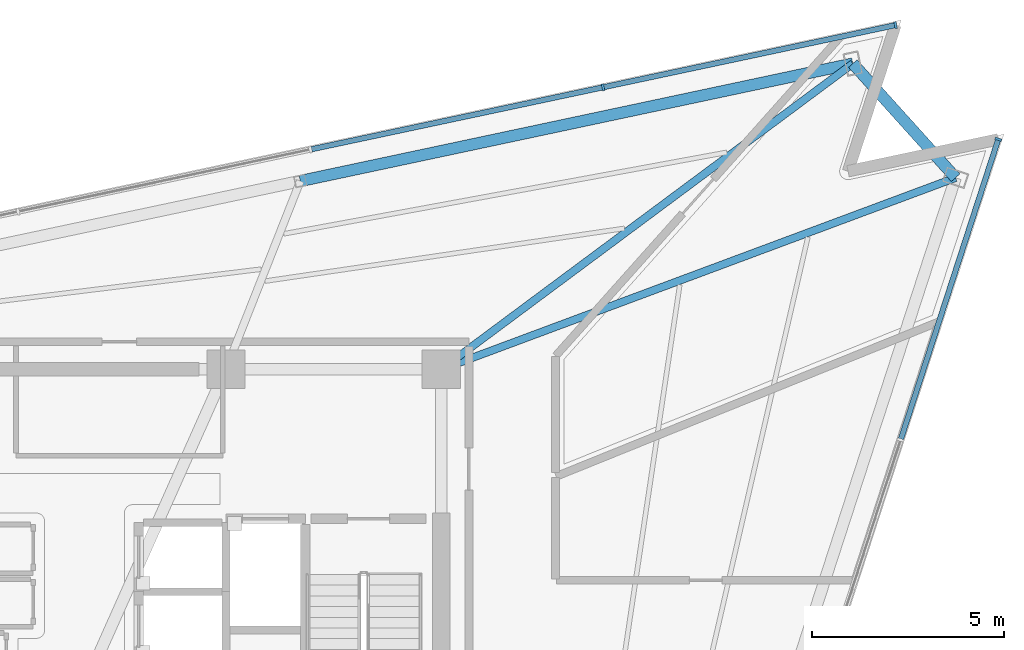
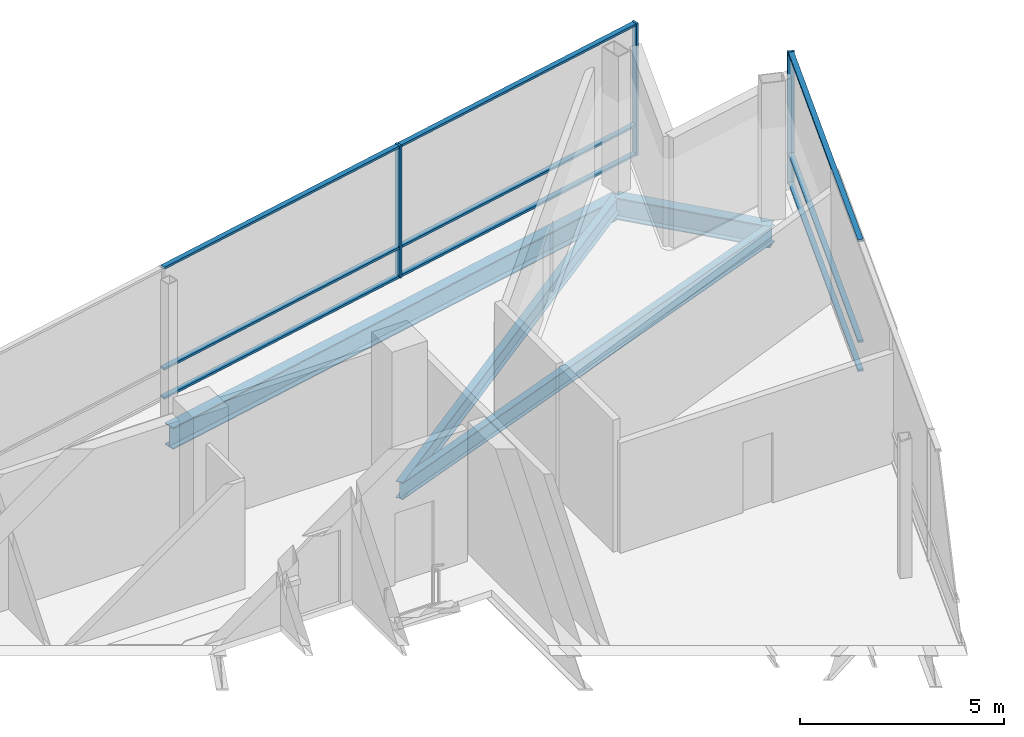
# One storey, part 9 of 17: 12 members, 4 beams, 2 elements without a shape of their own.
"""IFC4 building model written with IfcOpenShell, lengths in metres."""

from ifc_helpers import new_model, si_unit, direction, frame, origin, origin_2d, place, context, subcontext, project, spatial, rectangle, i_section, extrude, material, layer, layer_set, material_profile, profile_set, type_object, element, aggregate, save


model = new_model("IFC4")

# Units and contexts
model_context = context("Model", 3, precision=1e-05, world=origin(), true_north=direction((0.0, 1.0)))
body_context = subcontext(model_context, "Body", "Model", "MODEL_VIEW")
ifc_project = project(units=[si_unit("LENGTHUNIT", "METRE"), si_unit("AREAUNIT", "SQUARE_METRE"), si_unit("VOLUMEUNIT", "CUBIC_METRE"), si_unit("PLANEANGLEUNIT", "RADIAN"), si_unit("MASSUNIT", "GRAM", prefix="KILO")], contexts=[model_context])

# Site, building, storey
site_placement = place(None, origin())
site = spatial("IfcSite", under=ifc_project, at=site_placement, CompositionType="ELEMENT")
building_placement = place(site_placement, origin())
building = spatial("IfcBuilding", under=site, at=building_placement, Name="Tharavind Bronze Gate", CompositionType="ELEMENT")
storey_placement = place(building_placement, frame((0.0, 0.0, 298.0)))
storey = spatial("IfcBuildingStorey", under=building, at=storey_placement, Name="L77", CompositionType="ELEMENT", Elevation=298.0)

# Curtain wall, member
ifc_material_1 = material(Name="Anodised Bronze Aluminium", Category="aluminium")
ifc_layer = layer(ifc_material_1, 0.219970703125)
ifc_layer_set = layer_set([ifc_layer], Name="Anodised Bronze Aluminium")
curtain_wall_type = type_object("IfcCurtainWallType", Name="UNITISED CURTAIN WALL CROWN", PredefinedType="USERDEFINED", material=ifc_layer_set)
curtain_wall_1_placement = place(storey_placement, origin())
curtain_wall_1 = element("IfcCurtainWall", 1, at=curtain_wall_1_placement, inside=storey, type_object=curtain_wall_type, Name="L77 unitised curtain wall crown CW-L77-S2", ObjectType="UNITISED CURTAIN WALL", PredefinedType="USERDEFINED")
member_type_1 = type_object("IfcMemberType", Name="CURTAIN WALL BRONZE MULLION 65X180", PredefinedType="MULLION", material=ifc_material_1)
member_1_placement = place(storey_placement, frame((23.433837890625, 13.603271484375, 0.0), z_axis=(0.0, 0.0, 1.0), x_axis=(0.309016994375, 0.951056516295, 0.0)))
member_1 = element("IfcMember", 2, at=member_1_placement, type_object=member_type_1, Name="CW-L77-S2 mullion 7", PredefinedType="MULLION", context=body_context, shape_type="SweptSolid", body=[
    extrude(rectangle(XDim=0.06494140625, YDim=0.179931640625, at=origin_2d()), origin(), (0.0, 0.0, 1.0), 3.949951171875),
])

# Curtain wall, members
curtain_wall_2_placement = place(storey_placement, origin())
curtain_wall_2 = element("IfcCurtainWall", 3, at=curtain_wall_2_placement, inside=storey, type_object=curtain_wall_type, Name="L77 unitised curtain wall crown CW-L77-S3", ObjectType="UNITISED CURTAIN WALL", PredefinedType="USERDEFINED")
member_2_placement = place(storey_placement, frame((20.751953125, 16.581787109375, 0.0), z_axis=(0.0, 0.0, 1.0), x_axis=(-0.978147237858, -0.207913398007, 0.0)))
member_2 = element("IfcMember", 4, at=member_2_placement, type_object=member_type_1, Name="CW-L77-S3 mullion 1", PredefinedType="MULLION", context=body_context, shape_type="SweptSolid", body=[
    extrude(rectangle(XDim=0.06494140625, YDim=0.179931640625, at=origin_2d()), origin(), (0.0, 0.0, 1.0), 3.949951171875),
])
member_3_placement = place(storey_placement, frame((13.119873046875, 14.959716796875, 0.0), z_axis=(0.0, 0.0, 1.0), x_axis=(-0.978147237858, -0.207913398007, 0.0)))
member_3 = element("IfcMember", 5, at=member_3_placement, type_object=member_type_1, Name="CW-L77-S3 mullion 2", PredefinedType="MULLION", context=body_context, shape_type="SweptSolid", body=[
    extrude(rectangle(XDim=0.06494140625, YDim=0.179931640625, at=origin_2d()), origin(), (0.0, 0.0, 1.0), 3.949951171875),
])

# Member
member_type_2 = type_object("IfcMemberType", Name="CURTAIN WALL BRONZE TRANSOM 65X140", PredefinedType="USERDEFINED", material=ifc_material_1)
member_4_placement = place(storey_placement, frame((22.159423828125, 9.68115234375, 0.0), z_axis=(0.0, 0.0, 1.0), x_axis=(0.309016994375, 0.951056516295, 0.0)))
member_4 = element("IfcMember", 6, at=member_4_placement, type_object=member_type_2, Name="CW-L77-S2 transom TB6", ObjectType="TRANSOM", PredefinedType="USERDEFINED", context=body_context, shape_type="SweptSolid", body=[
    extrude(rectangle(XDim=8.195068359375, YDim=0.139892578125, at=origin_2d()), origin(), (0.0, 0.0, 1.0), 0.06494140625),
])

member_5_placement = place(storey_placement, frame((22.159423828125, 9.68115234375, 0.867431640625), z_axis=(0.0, 0.0, 1.0), x_axis=(0.309016994375, 0.951056516295, 0.0)))
member_5 = element("IfcMember", 7, at=member_5_placement, type_object=member_type_2, Name="CW-L77-S2 transom TS6", ObjectType="TRANSOM", PredefinedType="USERDEFINED", context=body_context, shape_type="SweptSolid", body=[
    extrude(rectangle(XDim=8.195068359375, YDim=0.139892578125, at=origin_2d()), origin(), (0.0, 0.0, 1.0), 0.06494140625),
])

member_6_placement = place(storey_placement, frame((22.159423828125, 9.68115234375, 3.885009765625), z_axis=(0.0, 0.0, 1.0), x_axis=(0.309016994375, 0.951056516295, 0.0)))
member_6 = element("IfcMember", 8, at=member_6_placement, type_object=member_type_2, Name="CW-L77-S2 transom TT6", ObjectType="TRANSOM", PredefinedType="USERDEFINED", context=body_context, shape_type="SweptSolid", body=[
    extrude(rectangle(XDim=8.195068359375, YDim=0.139892578125, at=origin_2d()), origin(), (0.0, 0.0, 1.0), 0.06494140625),
])

aggregate(curtain_wall_1, [member_1, member_4, member_5, member_6])

member_7_placement = place(storey_placement, frame((16.935791015625, 15.770751953125, 0.0), z_axis=(0.0, 0.0, 1.0), x_axis=(-0.978147237858, -0.207913398007, 0.0)))
member_7 = element("IfcMember", 9, at=member_7_placement, type_object=member_type_2, Name="CW-L77-S3 transom TB1", ObjectType="TRANSOM", PredefinedType="USERDEFINED", context=body_context, shape_type="SweptSolid", body=[
    extrude(rectangle(XDim=7.749755859375, YDim=0.139892578125, at=origin_2d()), origin(), (0.0, 0.0, 1.0), 0.06494140625),
])

member_8_placement = place(storey_placement, frame((16.935791015625, 15.770751953125, 0.867431640625), z_axis=(0.0, 0.0, 1.0), x_axis=(-0.978147237858, -0.207913398007, 0.0)))
member_8 = element("IfcMember", 10, at=member_8_placement, type_object=member_type_2, Name="CW-L77-S3 transom TS1", ObjectType="TRANSOM", PredefinedType="USERDEFINED", context=body_context, shape_type="SweptSolid", body=[
    extrude(rectangle(XDim=7.749755859375, YDim=0.139892578125, at=origin_2d()), origin(), (0.0, 0.0, 1.0), 0.06494140625),
])

member_9_placement = place(storey_placement, frame((16.935791015625, 15.770751953125, 3.885009765625), z_axis=(0.0, 0.0, 1.0), x_axis=(-0.978147237858, -0.207913398007, 0.0)))
member_9 = element("IfcMember", 11, at=member_9_placement, type_object=member_type_2, Name="CW-L77-S3 transom TT1", ObjectType="TRANSOM", PredefinedType="USERDEFINED", context=body_context, shape_type="SweptSolid", body=[
    extrude(rectangle(XDim=7.749755859375, YDim=0.139892578125, at=origin_2d()), origin(), (0.0, 0.0, 1.0), 0.06494140625),
])

member_10_placement = place(storey_placement, frame((9.3037109375, 14.1484375, 0.0), z_axis=(0.0, 0.0, 1.0), x_axis=(-0.978147237858, -0.207913398007, 0.0)))
member_10 = element("IfcMember", 12, at=member_10_placement, type_object=member_type_2, Name="CW-L77-S3 transom TB2", ObjectType="TRANSOM", PredefinedType="USERDEFINED", context=body_context, shape_type="SweptSolid", body=[
    extrude(rectangle(XDim=7.749755859375, YDim=0.139892578125, at=origin_2d()), origin(), (0.0, 0.0, 1.0), 0.06494140625),
])

member_11_placement = place(storey_placement, frame((9.3037109375, 14.1484375, 0.867431640625), z_axis=(0.0, 0.0, 1.0), x_axis=(-0.978147237858, -0.207913398007, 0.0)))
member_11 = element("IfcMember", 13, at=member_11_placement, type_object=member_type_2, Name="CW-L77-S3 transom TS2", ObjectType="TRANSOM", PredefinedType="USERDEFINED", context=body_context, shape_type="SweptSolid", body=[
    extrude(rectangle(XDim=7.749755859375, YDim=0.139892578125, at=origin_2d()), origin(), (0.0, 0.0, 1.0), 0.06494140625),
])

member_12_placement = place(storey_placement, frame((9.3037109375, 14.1484375, 3.885009765625), z_axis=(0.0, 0.0, 1.0), x_axis=(-0.978147237858, -0.207913398007, 0.0)))
member_12 = element("IfcMember", 14, at=member_12_placement, type_object=member_type_2, Name="CW-L77-S3 transom TT2", ObjectType="TRANSOM", PredefinedType="USERDEFINED", context=body_context, shape_type="SweptSolid", body=[
    extrude(rectangle(XDim=7.749755859375, YDim=0.139892578125, at=origin_2d()), origin(), (0.0, 0.0, 1.0), 0.06494140625),
])

aggregate(curtain_wall_2, [member_2, member_3, member_7, member_8, member_9, member_10, member_11, member_12])

# Beams
ifc_material_2 = material(Name="Steel S355", Category="steel")
ifc_material_profile_1 = material_profile(ifc_material_2, i_section(OverallWidth=0.300048828125, OverallDepth=0.64990234375, WebThickness=0.01611328125, FlangeThickness=0.031005859375, at=origin_2d()), Name="HE650B")
ifc_profile_set_1 = profile_set([ifc_material_profile_1], Name="Steel S355")
beam_type_1 = type_object("IfcBeamType", Name="PRIMARY GIRDER HE650B", PredefinedType="USERDEFINED", material=ifc_profile_set_1)
beam_1_placement = place(storey_placement, frame((22.319091796875, 12.599609375, -0.52490234375), z_axis=(-0.669132983361, 0.743142685208, 0.0), x_axis=(-0.743142685208, -0.669132983361, 0.0)))
element("IfcBeam", 15, at=beam_1_placement, inside=storey, type_object=beam_type_1, Name="L77 primary girder he650b BM-L77-PRG08", ObjectType="GIRDER", PredefinedType="USERDEFINED", context=body_context, shape_type="SweptSolid", body=[
    extrude(i_section(OverallWidth=0.300048828125, OverallDepth=0.64990234375, WebThickness=0.01611328125, FlangeThickness=0.031005859375, at=origin_2d()), origin(), (0.0, 0.0, 1.0), 4.008056640625),
])
beam_2_placement = place(storey_placement, frame((19.63720703125, 15.578125, -0.52490234375), z_axis=(-0.97814794647, -0.207910064249, 0.0), x_axis=(0.207910064249, -0.97814794647, 0.0)))
element("IfcBeam", 16, at=beam_2_placement, inside=storey, type_object=beam_type_1, Name="L77 primary girder he650b BM-L77-PRG09", ObjectType="GIRDER", PredefinedType="USERDEFINED", context=body_context, shape_type="SweptSolid", body=[
    extrude(i_section(OverallWidth=0.300048828125, OverallDepth=0.64990234375, WebThickness=0.01611328125, FlangeThickness=0.031005859375, at=origin_2d()), origin(), (0.0, 0.0, 1.0), 14.7392578125),
])
ifc_material_profile_2 = material_profile(ifc_material_2, i_section(OverallWidth=0.199951171875, OverallDepth=0.5, WebThickness=0.01025390625, FlangeThickness=0.01611328125, at=origin_2d()), Name="IPE500")
ifc_profile_set_2 = profile_set([ifc_material_profile_2], Name="Steel S355")
beam_type_2 = type_object("IfcBeamType", Name="PRIMARY GIRDER IPE500", PredefinedType="USERDEFINED", material=ifc_profile_set_2)
beam_3_placement = place(storey_placement, frame((22.319091796875, 12.599609375, -0.449951171875), z_axis=(-0.937077412275, -0.349121645567, 0.0), x_axis=(0.349121645567, -0.937077412275, 0.0)))
element("IfcBeam", 17, at=beam_3_placement, inside=storey, type_object=beam_type_2, Name="L77 primary girder ipe500 BM-L77-RAD08", ObjectType="GIRDER", PredefinedType="USERDEFINED", context=body_context, shape_type="SweptSolid", body=[
    extrude(i_section(OverallWidth=0.199951171875, OverallDepth=0.5, WebThickness=0.01025390625, FlangeThickness=0.01611328125, at=origin_2d()), origin(), (0.0, 0.0, 1.0), 14.3203125),
])
beam_4_placement = place(storey_placement, frame((19.63720703125, 15.578125, -0.449951171875), z_axis=(-0.802681438581, -0.596408004774, 0.0), x_axis=(0.596408004774, -0.802681438581, 0.0)))
element("IfcBeam", 18, at=beam_4_placement, inside=storey, type_object=beam_type_2, Name="L77 primary girder ipe500 BM-L77-RAD09", ObjectType="GIRDER", PredefinedType="USERDEFINED", context=body_context, shape_type="SweptSolid", body=[
    extrude(i_section(OverallWidth=0.199951171875, OverallDepth=0.5, WebThickness=0.01025390625, FlangeThickness=0.01611328125, at=origin_2d()), origin(), (0.0, 0.0, 1.0), 13.376708984375),
])

save(model, "model.ifc")
